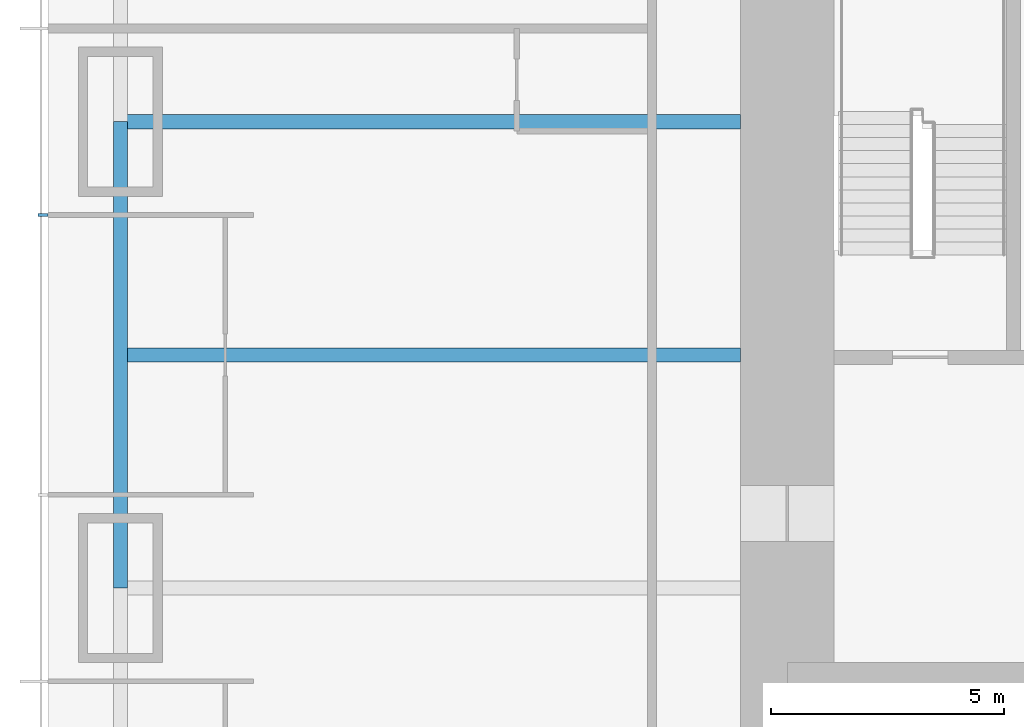
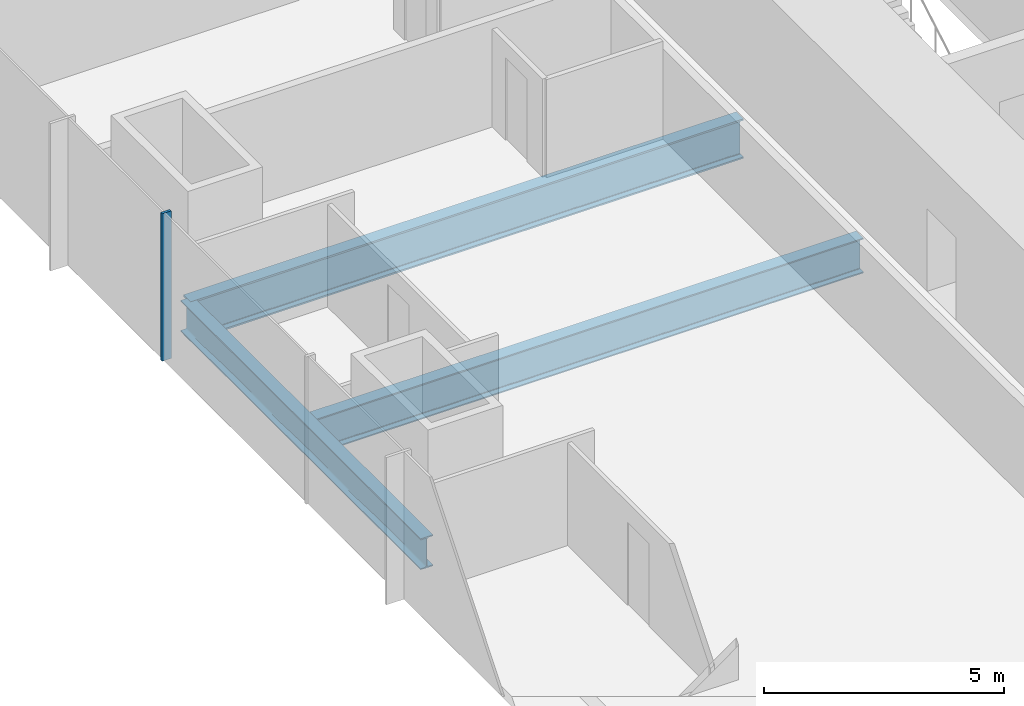
# One storey, part 3 of 16: 3 beams, 1 member, 1 element without a shape of its own.
"""IFC4 building model written with IfcOpenShell, lengths in metres."""

from ifc_helpers import new_model, si_unit, direction, frame, origin, origin_2d, place, context, subcontext, project, spatial, rectangle, i_section, extrude, material, material_profile, profile_set, type_object, element, aggregate, save


model = new_model("IFC4")

# Units and contexts
model_context = context("Model", 3, precision=1e-05, world=origin(), true_north=direction((0.0, 1.0)))
body_context = subcontext(model_context, "Body", "Model", "MODEL_VIEW")
ifc_project = project(units=[si_unit("LENGTHUNIT", "METRE"), si_unit("AREAUNIT", "SQUARE_METRE"), si_unit("VOLUMEUNIT", "CUBIC_METRE"), si_unit("PLANEANGLEUNIT", "RADIAN"), si_unit("MASSUNIT", "GRAM", prefix="KILO")], contexts=[model_context])

# Site, building, storey
site_placement = place(None, origin())
site = spatial("IfcSite", under=ifc_project, at=site_placement, CompositionType="ELEMENT")
building_placement = place(site_placement, origin())
building = spatial("IfcBuilding", under=site, at=building_placement, Name="Khuree Lantern Residences", CompositionType="ELEMENT")
storey_placement = place(building_placement, frame((0.0, 0.0, 62.25)))
storey = spatial("IfcBuildingStorey", under=building, at=storey_placement, Name="L15", CompositionType="ELEMENT", Elevation=62.25)

# Beams
ifc_material_1 = material(Name="Steel S355", Category="steel")
ifc_material_profile_1 = material_profile(ifc_material_1, i_section(OverallWidth=0.300048828125, OverallDepth=0.889892578125, WebThickness=0.01611328125, FlangeThickness=0.030029296875, FilletRadius=0.030029296875, at=origin_2d()), Name="HE 900 A")
ifc_profile_set_1 = profile_set([ifc_material_profile_1], Name="Steel S355")
beam_type_1 = type_object("IfcBeamType", Name="B-13 SECONDARY BEAM HE 900 A", PredefinedType="BEAM", material=ifc_profile_set_1)
beam_1_placement = place(storey_placement, frame((-29.800048828125, -5.0, -0.695068359375), z_axis=(1.0, 0.0, 0.0), x_axis=(0.0, 1.0, 0.0)))
element("IfcBeam", 1, at=beam_1_placement, inside=storey, type_object=beam_type_1, Name="Secondary beam W3", PredefinedType="BEAM", context=body_context, shape_type="SweptSolid", body=[
    extrude(i_section(OverallWidth=0.300048828125, OverallDepth=0.889892578125, WebThickness=0.01611328125, FlangeThickness=0.030029296875, FilletRadius=0.030029296875, at=origin_2d()), origin(), (0.0, 0.0, 1.0), 13.300048828125),
])
ifc_material_profile_2 = material_profile(ifc_material_1, i_section(OverallWidth=0.300048828125, OverallDepth=0.7900390625, WebThickness=0.014892578125, FlangeThickness=0.028076171875, FilletRadius=0.030029296875, at=origin_2d()), Name="HE 800 A")
ifc_profile_set_2 = profile_set([ifc_material_profile_2], Name="Steel S355")
beam_type_2 = type_object("IfcBeamType", Name="E-13 SPANDREL BEAM HE 800 A", PredefinedType="SPANDREL", material=ifc_profile_set_2)
beam_2_placement = place(storey_placement, frame((-29.800048828125, -10.0, -0.64501953125), z_axis=(0.0, 1.0, 0.0), x_axis=(-1.0, 0.0, 0.0)))
element("IfcBeam", 2, at=beam_2_placement, inside=storey, type_object=beam_type_2, Name="Spandrel beam W3", PredefinedType="SPANDREL", context=body_context, shape_type="SweptSolid", body=[
    extrude(i_section(OverallWidth=0.300048828125, OverallDepth=0.7900390625, WebThickness=0.014892578125, FlangeThickness=0.028076171875, FilletRadius=0.030029296875, at=origin_2d()), origin(), (0.0, 0.0, 1.0), 10.0),
])
ifc_material_profile_3 = material_profile(ifc_material_1, i_section(OverallWidth=0.302001953125, OverallDepth=1.008056640625, WebThickness=0.02099609375, FlangeThickness=0.0400390625, FilletRadius=0.030029296875, at=origin_2d()), Name="HE 1000 M")
ifc_profile_set_3 = profile_set([ifc_material_profile_3], Name="Steel S355")
beam_type_3 = type_object("IfcBeamType", Name="G-13 GIRDER HE 1000 M", PredefinedType="BEAM", material=ifc_profile_set_3)
beam_3_placement = place(storey_placement, frame((-29.800048828125, 0.0, -0.75390625), z_axis=(1.0, 0.0, 0.0), x_axis=(0.0, 1.0, 0.0)))
element("IfcBeam", 3, at=beam_3_placement, inside=storey, type_object=beam_type_3, Name="Girder W3", PredefinedType="BEAM", context=body_context, shape_type="SweptSolid", body=[
    extrude(i_section(OverallWidth=0.302001953125, OverallDepth=1.008056640625, WebThickness=0.02099609375, FlangeThickness=0.0400390625, FilletRadius=0.030029296875, at=origin_2d()), origin(), (0.0, 0.0, 1.0), 13.300048828125),
])

# Curtain wall, member
ifc_material_2 = material(Name="Bronze anodised aluminium", Category="aluminium")
curtain_wall_type = type_object("IfcCurtainWallType", Name="CW-T1 TOWER FACE CURTAIN WALL", PredefinedType="USERDEFINED", material=ifc_material_2)
curtain_wall_placement = place(storey_placement, origin())
curtain_wall = element("IfcCurtainWall", 4, at=curtain_wall_placement, inside=storey, type_object=curtain_wall_type, Name="L15 WEST FACE CURTAIN WALL", ObjectType="Stick-built curtain wall", PredefinedType="USERDEFINED")
ifc_material_profile_4 = material_profile(ifc_material_2, rectangle(XDim=0.06494140625, YDim=0.219970703125, at=origin_2d()), Name="M1 65X220")
ifc_profile_set_4 = profile_set([ifc_material_profile_4], Name="Bronze anodised aluminium")
member_type = type_object("IfcMemberType", Name="M1 BRONZE MULLION TOWER 65X220", PredefinedType="MULLION", material=ifc_profile_set_4)
member_placement = place(storey_placement, frame((-31.4599609375, -2.0, 0.0), z_axis=(0.0, 0.0, 1.0), x_axis=(0.0, -1.0, 0.0)))
member = element("IfcMember", 5, at=member_placement, type_object=member_type, Name="L15 WEST FACE MULLION 38", PredefinedType="MULLION", context=body_context, shape_type="SweptSolid", body=[
    extrude(rectangle(XDim=0.06494140625, YDim=0.219970703125, at=origin_2d()), origin(), (0.0, 0.0, 1.0), 3.75),
])
aggregate(curtain_wall, [member])

save(model, "model.ifc")
